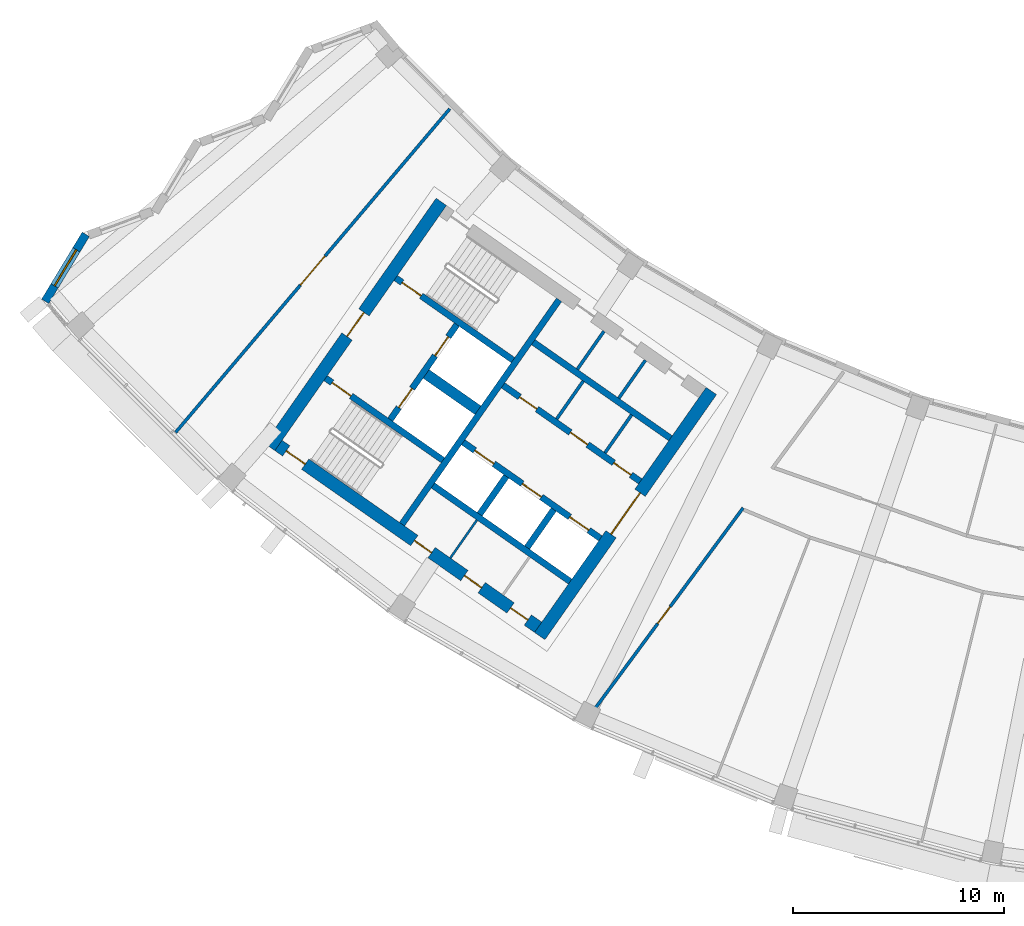
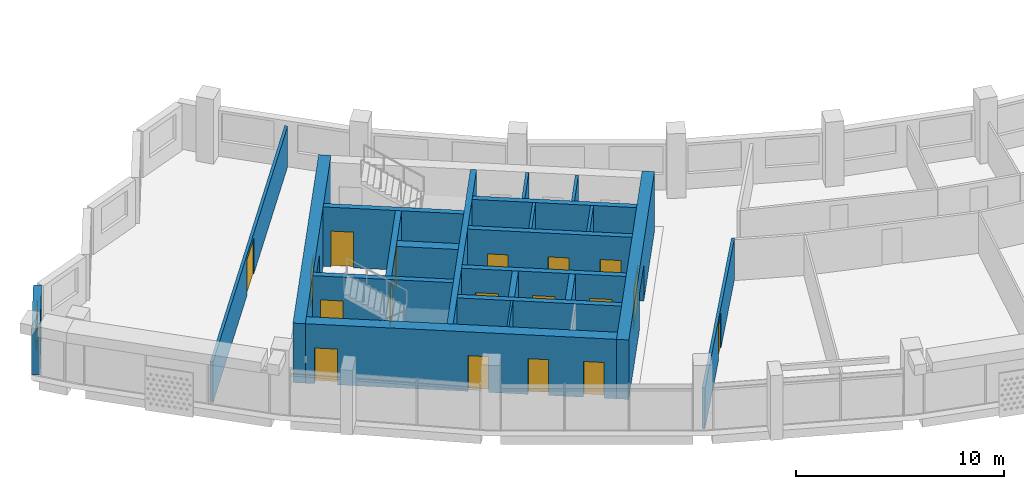
# One storey, part 3 of 28: 22 walls, 18 doors, 1 window, 19 openings.
"""IFC4 building model written with IfcOpenShell, lengths in metres."""

from ifc_helpers import new_model, si_unit, direction, frame, frame_2d, origin, place, context, subcontext, project, spatial, rectangle, extrude, material, layer, layer_set, type_object, element, fill, save


model = new_model("IFC4")

# Units and contexts
model_context = context("Model", 3, precision=1e-05, world=origin(), true_north=direction((0.0, 1.0)))
body_context = subcontext(model_context, "Body", "Model", "MODEL_VIEW")
ifc_project = project(units=[si_unit("LENGTHUNIT", "METRE"), si_unit("AREAUNIT", "SQUARE_METRE"), si_unit("VOLUMEUNIT", "CUBIC_METRE"), si_unit("PLANEANGLEUNIT", "RADIAN"), si_unit("MASSUNIT", "GRAM", prefix="KILO")], contexts=[model_context])

# Site, building, storey
site_placement = place(None, origin())
site = spatial("IfcSite", under=ifc_project, at=site_placement, CompositionType="ELEMENT")
building_placement = place(site_placement, origin())
building = spatial("IfcBuilding", under=site, at=building_placement, Name="Qamariyya Broadcast Tower", CompositionType="ELEMENT")
storey_placement = place(building_placement, frame((0.0, 0.0, 269.5)))
storey = spatial("IfcBuildingStorey", under=building, at=storey_placement, Name="L65", CompositionType="ELEMENT", Elevation=269.5)

# Wall, opening, door
ifc_material_1 = material(Name="Concrete C60/75", Category="concrete")
ifc_layer_1 = layer(ifc_material_1, 0.60009765625)
ifc_layer_set_1 = layer_set([ifc_layer_1], Name="Core wall 600 mm Concrete C60/75")
wall_type_1 = type_object("IfcWallType", Name="Core wall 600 mm Concrete C60/75", PredefinedType="SHEAR", material=ifc_layer_set_1)
wall_1_placement = place(storey_placement, frame((-36.66748046875, -66.005126953125, 0.0), z_axis=(0.0, 0.0, 1.0), x_axis=(0.573568499524, 0.819157601658, 0.0)))
wall_1 = element("IfcWall", 1, at=wall_1_placement, inside=storey, type_object=wall_type_1, Name="k-W-L65-WA", PredefinedType="SHEAR", context=body_context, shape_type="SweptSolid", body=[
    extrude(rectangle(XDim=14.19970703125, YDim=0.60009765625, at=frame_2d((7.099853515625, 0.0))), origin(), (0.0, 0.0, 1.0), 3.5),
])
opening_1_placement = place(wall_1_placement, frame((5.89990234375, 0.0, 0.0)))
opening_1 = element("IfcOpeningElement", 2, at=opening_1_placement, cuts=wall_1, Name="Opening KD3-W1", PredefinedType="OPENING", context=body_context, shape_type="SweptSolid", body=[
    extrude(rectangle(XDim=2.39990234375, YDim=2.10009765625, at=frame_2d((1.199951171875, 1.050048828125))), frame((0.0, 0.31005859375, 0.0), z_axis=(0.0, -1.0, 0.0), x_axis=(1.0, 0.0, 0.0)), (0.0, 0.0, 1.0), 0.6201171875),
])
ifc_material_2 = material(Name="Steel fire-resisting door leaf", Category="steel")
door_type_1 = type_object("IfcDoorType", Name="Lift lobby door KD3", OperationType="DOUBLE_DOOR_SINGLE_SWING", PredefinedType="DOOR", material=ifc_material_2)
door_1_placement = place(opening_1_placement, origin())
door_1 = element("IfcDoor", 3, at=door_1_placement, inside=storey, type_object=door_type_1, Name="k-W-L65-WA-D1", OperationType="DOUBLE_DOOR_SINGLE_SWING", OverallHeight=2.10009765625, OverallWidth=2.39990234375, PredefinedType="DOOR", context=body_context, shape_type="SweptSolid", body=[
    extrude(rectangle(XDim=2.39990234375, YDim=2.10009765625, at=frame_2d((1.199951171875, 1.050048828125))), frame((0.0, 0.02490234375, 0.0), z_axis=(0.0, -1.0, 0.0), x_axis=(1.0, 0.0, 0.0)), (0.0, 0.0, 1.0), 0.050048828125),
])
fill(opening_1, door_1)

wall_2_placement = place(storey_placement, frame((-49.4833984375, -57.031494140625, 0.0), z_axis=(0.0, 0.0, 1.0), x_axis=(0.573560421458, 0.819163257805, 0.0)))
wall_2 = element("IfcWall", 4, at=wall_2_placement, inside=storey, type_object=wall_type_1, Name="k-W-L65-WH", PredefinedType="SHEAR", context=body_context, shape_type="SweptSolid", body=[
    extrude(rectangle(XDim=14.199951171875, YDim=0.60009765625, at=frame_2d((7.10009765625, 0.0))), origin(), (0.0, 0.0, 1.0), 3.5),
])
opening_2_placement = place(wall_2_placement, frame((6.39990234375, 0.0, 0.0)))
opening_2 = element("IfcOpeningElement", 5, at=opening_2_placement, cuts=wall_2, Name="Opening KD2-W1", PredefinedType="OPENING", context=body_context, shape_type="SweptSolid", body=[
    extrude(rectangle(XDim=1.39990234375, YDim=2.10009765625, at=frame_2d((0.699951171875, 1.050048828125))), frame((0.0, 0.31005859375, 0.0), z_axis=(0.0, -1.0, 0.0), x_axis=(1.0, 0.0, 0.0)), (0.0, 0.0, 1.0), 0.6201171875),
])
door_type_2 = type_object("IfcDoorType", Name="Fire-fighting lobby door KD2", OperationType="DOUBLE_DOOR_SINGLE_SWING", PredefinedType="DOOR", material=ifc_material_2)
door_2_placement = place(opening_2_placement, origin())
door_2 = element("IfcDoor", 6, at=door_2_placement, inside=storey, type_object=door_type_2, Name="k-W-L65-WH-D16", OperationType="DOUBLE_DOOR_SINGLE_SWING", OverallHeight=2.10009765625, OverallWidth=1.39990234375, PredefinedType="DOOR", context=body_context, shape_type="SweptSolid", body=[
    extrude(rectangle(XDim=1.39990234375, YDim=2.10009765625, at=frame_2d((0.699951171875, 1.050048828125))), frame((0.0, 0.02490234375, 0.0), z_axis=(0.0, -1.0, 0.0), x_axis=(1.0, 0.0, 0.0)), (0.0, 0.0, 1.0), 0.050048828125),
])
fill(opening_2, door_2)

# Wall, openings, doors
wall_3_placement = place(storey_placement, frame((-36.7412109375, -65.58740234375, 0.0), z_axis=(0.0, 0.0, 1.0), x_axis=(-0.819153391756, 0.573574511963, 0.0)))
wall_3 = element("IfcWall", 7, at=wall_3_placement, inside=storey, type_object=wall_type_1, Name="k-W-L65-WO", PredefinedType="SHEAR", context=body_context, shape_type="SweptSolid", body=[
    extrude(rectangle(XDim=15.04541015625, YDim=0.60009765625, at=frame_2d((7.522705078125, 0.0))), origin(), (0.0, 0.0, 1.0), 3.5),
])
opening_3_placement = place(wall_3_placement, frame((0.60009765625, 0.0, 0.0)))
opening_3 = element("IfcOpeningElement", 8, at=opening_3_placement, cuts=wall_3, Name="Opening KD4-W2", PredefinedType="OPENING", context=body_context, shape_type="SweptSolid", body=[
    extrude(rectangle(XDim=1.0, YDim=2.10009765625, at=frame_2d((0.5, 1.050048828125))), frame((0.0, 0.31005859375, 0.0), z_axis=(0.0, -1.0, 0.0), x_axis=(1.0, 0.0, 0.0)), (0.0, 0.0, 1.0), 0.6201171875),
])
opening_4_placement = place(wall_3_placement, frame((3.27490234375, 0.0, 0.0)))
opening_4 = element("IfcOpeningElement", 9, at=opening_4_placement, cuts=wall_3, Name="Opening KD4-W3", PredefinedType="OPENING", context=body_context, shape_type="SweptSolid", body=[
    extrude(rectangle(XDim=1.0, YDim=2.10009765625, at=frame_2d((0.5, 1.050048828125))), frame((0.0, 0.31005859375, 0.0), z_axis=(0.0, -1.0, 0.0), x_axis=(1.0, 0.0, 0.0)), (0.0, 0.0, 1.0), 0.6201171875),
])
opening_5_placement = place(wall_3_placement, frame((6.175048828125, 0.0, 0.0)))
opening_5 = element("IfcOpeningElement", 10, at=opening_5_placement, cuts=wall_3, Name="Opening KD4-W4", PredefinedType="OPENING", context=body_context, shape_type="SweptSolid", body=[
    extrude(rectangle(XDim=1.0, YDim=2.10009765625, at=frame_2d((0.5, 1.050048828125))), frame((0.0, 0.31005859375, 0.0), z_axis=(0.0, -1.0, 0.0), x_axis=(1.0, 0.0, 0.0)), (0.0, 0.0, 1.0), 0.6201171875),
])
opening_6_placement = place(wall_3_placement, frame((13.495361328125, 0.0, 0.0)))
opening_6 = element("IfcOpeningElement", 11, at=opening_6_placement, cuts=wall_3, Name="Opening KD1-W3", PredefinedType="OPENING", context=body_context, shape_type="SweptSolid", body=[
    extrude(rectangle(XDim=1.10009765625, YDim=2.10009765625, at=frame_2d((0.550048828125, 1.050048828125))), frame((0.0, 0.31005859375, 0.0), z_axis=(0.0, -1.0, 0.0), x_axis=(1.0, 0.0, 0.0)), (0.0, 0.0, 1.0), 0.6201171875),
])
door_type_3 = type_object("IfcDoorType", Name="Riser and plant door KD4", OperationType="SINGLE_SWING_LEFT", PredefinedType="DOOR", material=ifc_material_2)
door_3_placement = place(opening_3_placement, origin())
door_3 = element("IfcDoor", 12, at=door_3_placement, inside=storey, type_object=door_type_3, Name="k-W-L65-WO-D11", OperationType="SINGLE_SWING_RIGHT", OverallHeight=2.10009765625, OverallWidth=1.0, PredefinedType="DOOR", context=body_context, shape_type="SweptSolid", body=[
    extrude(rectangle(XDim=1.0, YDim=2.10009765625, at=frame_2d((0.5, 1.050048828125))), frame((0.0, 0.02490234375, 0.0), z_axis=(0.0, -1.0, 0.0), x_axis=(1.0, 0.0, 0.0)), (0.0, 0.0, 1.0), 0.050048828125),
])
fill(opening_3, door_3)
door_4_placement = place(opening_4_placement, origin())
door_4 = element("IfcDoor", 13, at=door_4_placement, inside=storey, type_object=door_type_3, Name="k-W-L65-WO-D12", OperationType="SINGLE_SWING_LEFT", OverallHeight=2.10009765625, OverallWidth=1.0, PredefinedType="DOOR", context=body_context, shape_type="SweptSolid", body=[
    extrude(rectangle(XDim=1.0, YDim=2.10009765625, at=frame_2d((0.5, 1.050048828125))), frame((0.0, 0.02490234375, 0.0), z_axis=(0.0, -1.0, 0.0), x_axis=(1.0, 0.0, 0.0)), (0.0, 0.0, 1.0), 0.050048828125),
])
fill(opening_4, door_4)
door_5_placement = place(opening_5_placement, origin())
door_5 = element("IfcDoor", 14, at=door_5_placement, inside=storey, type_object=door_type_3, Name="k-W-L65-WO-D13", OperationType="SINGLE_SWING_RIGHT", OverallHeight=2.10009765625, OverallWidth=1.0, PredefinedType="DOOR", context=body_context, shape_type="SweptSolid", body=[
    extrude(rectangle(XDim=1.0, YDim=2.10009765625, at=frame_2d((0.5, 1.050048828125))), frame((0.0, 0.02490234375, 0.0), z_axis=(0.0, -1.0, 0.0), x_axis=(1.0, 0.0, 0.0)), (0.0, 0.0, 1.0), 0.050048828125),
])
fill(opening_5, door_5)
door_type_4 = type_object("IfcDoorType", Name="Stair door KD1", OperationType="SINGLE_SWING_LEFT", PredefinedType="DOOR", material=ifc_material_2)
door_6_placement = place(opening_6_placement, origin())
door_6 = element("IfcDoor", 15, at=door_6_placement, inside=storey, type_object=door_type_4, Name="k-W-L65-WO-D19", OperationType="SINGLE_SWING_LEFT", OverallHeight=2.10009765625, OverallWidth=1.10009765625, PredefinedType="DOOR", context=body_context, shape_type="SweptSolid", body=[
    extrude(rectangle(XDim=1.10009765625, YDim=2.10009765625, at=frame_2d((0.550048828125, 1.050048828125))), frame((0.0, 0.02490234375, 0.0), z_axis=(0.0, -1.0, 0.0), x_axis=(1.0, 0.0, 0.0)), (0.0, 0.0, 1.0), 0.050048828125),
])
fill(opening_6, door_6)

# Wall, opening, door
ifc_material_3 = material(Name="Gypsum board partition")
ifc_layer_2 = layer(ifc_material_3, 0.14990234375)
ifc_layer_set_2 = layer_set([ifc_layer_2], Name="Corridor partition 150 EI 60")
wall_type_2 = type_object("IfcWallType", Name="Corridor partition 150 EI 60", PredefinedType="PARTITIONING", material=ifc_layer_set_2)
wall_4_placement = place(storey_placement, frame((-53.946044921875, -56.33837890625, 0.0), z_axis=(0.0, 0.0, 1.0), x_axis=(0.646426079671, 0.76297662056, 0.0)))
wall_4 = element("IfcWall", 16, at=wall_4_placement, inside=storey, type_object=wall_type_2, Name="Partition L65-001", PredefinedType="PARTITIONING", context=body_context, shape_type="SweptSolid", body=[
    extrude(rectangle(XDim=20.1259765625, YDim=0.14990234375, at=frame_2d((10.06298828125, 0.0))), origin(), (0.0, 0.0, 1.0), 2.39990234375),
])
opening_7_placement = place(wall_4_placement, frame((9.1630859375, 0.0, 0.0)))
opening_7 = element("IfcOpeningElement", 17, at=opening_7_placement, cuts=wall_4, Name="Opening L65-D15", PredefinedType="OPENING", context=body_context, shape_type="SweptSolid", body=[
    extrude(rectangle(XDim=1.800048828125, YDim=2.10009765625, at=frame_2d((0.89990234375, 1.050048828125))), frame((0.0, 0.0849609375, 0.0), z_axis=(0.0, -1.0, 0.0), x_axis=(1.0, 0.0, 0.0)), (0.0, 0.0, 1.0), 0.169921875),
])
ifc_material_4 = material(Name="Timber fire door leaf", Category="wood")
door_type_5 = type_object("IfcDoorType", Name="Double fire door 1800 x 2100 FD60", OperationType="NOTDEFINED", PredefinedType="DOOR", material=ifc_material_4)
door_7_placement = place(opening_7_placement, origin())
door_7 = element("IfcDoor", 18, at=door_7_placement, inside=storey, type_object=door_type_5, Name="Door L65-D15", OperationType="DOUBLE_DOOR_SINGLE_SWING", OverallHeight=2.10009765625, OverallWidth=1.800048828125, PredefinedType="DOOR", context=body_context, shape_type="SweptSolid", body=[
    extrude(rectangle(XDim=1.800048828125, YDim=2.10009765625, at=frame_2d((0.89990234375, 1.050048828125))), frame((0.0, 0.02490234375, 0.0), z_axis=(0.0, -1.0, 0.0), x_axis=(1.0, 0.0, 0.0)), (0.0, 0.0, 1.0), 0.050048828125),
])
fill(opening_7, door_7)

wall_5_placement = place(storey_placement, frame((-27.012939453125, -59.919189453125, 0.0), z_axis=(0.0, 0.0, 1.0), x_axis=(-0.593869528805, -0.804561360467, 0.0)))
wall_5 = element("IfcWall", 19, at=wall_5_placement, inside=storey, type_object=wall_type_2, Name="Partition L65-003", PredefinedType="PARTITIONING", context=body_context, shape_type="SweptSolid", body=[
    extrude(rectangle(XDim=12.665283203125, YDim=0.14990234375, at=frame_2d((6.33251953125, 0.0))), origin(), (0.0, 0.0, 1.0), 2.39990234375),
])
opening_8_placement = place(wall_5_placement, frame((5.832763671875, 0.0, 0.0)))
opening_8 = element("IfcOpeningElement", 20, at=opening_8_placement, cuts=wall_5, Name="Opening L65-D01", PredefinedType="OPENING", context=body_context, shape_type="SweptSolid", body=[
    extrude(rectangle(XDim=1.0, YDim=2.10009765625, at=frame_2d((0.5, 1.050048828125))), frame((0.0, 0.0849609375, 0.0), z_axis=(0.0, -1.0, 0.0), x_axis=(1.0, 0.0, 0.0)), (0.0, 0.0, 1.0), 0.169921875),
])
door_type_6 = type_object("IfcDoorType", Name="Fire door 1000 x 2100 FD60", OperationType="NOTDEFINED", PredefinedType="DOOR", material=ifc_material_4)
door_8_placement = place(opening_8_placement, origin())
door_8 = element("IfcDoor", 21, at=door_8_placement, inside=storey, type_object=door_type_6, Name="Door L65-D01", OperationType="SINGLE_SWING_RIGHT", OverallHeight=2.10009765625, OverallWidth=1.0, PredefinedType="DOOR", context=body_context, shape_type="SweptSolid", body=[
    extrude(rectangle(XDim=1.0, YDim=2.10009765625, at=frame_2d((0.5, 1.050048828125))), frame((0.0, 0.02490234375, 0.0), z_axis=(0.0, -1.0, 0.0), x_axis=(1.0, 0.0, 0.0)), (0.0, 0.0, 1.0), 0.050048828125),
])
fill(opening_8, door_8)

# Walls
ifc_layer_3 = layer(ifc_material_1, 0.5)
ifc_layer_set_3 = layer_set([ifc_layer_3], Name="Fire-fighting lobby divider wall 500 mm Concrete C60/75")
wall_type_3 = type_object("IfcWallType", Name="Fire-fighting lobby divider wall 500 mm Concrete C60/75", PredefinedType="SOLIDWALL", material=ifc_layer_set_3)
wall_6_placement = place(storey_placement, frame((-39.59912109375, -55.28515625, 0.0), z_axis=(0.0, 0.0, 1.0), x_axis=(-0.819136323161, 0.573598887793, 0.0)))
element("IfcWall", 22, at=wall_6_placement, inside=storey, type_object=wall_type_3, Name="k-W-L65-FD", PredefinedType="SOLIDWALL", context=body_context, shape_type="SweptSolid", body=[
    extrude(rectangle(XDim=2.999755859375, YDim=0.5, at=frame_2d((1.5, 0.0))), origin(), (0.0, 0.0, 1.0), 3.5),
])
ifc_material_5 = material(Name="Gypsum board partition on steel studs", Category="steel")
ifc_layer_4 = layer(ifc_material_5, 0.14990234375)
ifc_layer_set_4 = layer_set([ifc_layer_4], Name="Gypsum board partition 150 mm")
wall_type_4 = type_object("IfcWallType", Name="Gypsum board partition 150 mm", PredefinedType="PARTITIONING", material=ifc_layer_set_4)
for number, where, z_axis, x_axis, name in (
    (23, (-33.569580078125, -57.3095703125, 0.0), (0.0, 0.0, 1.0), (0.573507030513, 0.819200638399, 0.0), "k-W-L65-NC215"),
    (24, (-35.86328125, -55.70361328125, 0.0), (0.0, 0.0, 1.0), (0.573507030513, 0.819200638399, 0.0), "k-W-L65-NC495"),
):
    element("IfcWall", number, at=place(storey_placement, frame(where, z_axis=z_axis, x_axis=x_axis)), inside=storey, type_object=wall_type_4, Name=name, PredefinedType="PARTITIONING", context=body_context, shape_type="SweptSolid", body=[
        extrude(rectangle(XDim=2.199951171875, YDim=0.14990234375, at=frame_2d((1.10009765625, 0.0))), origin(), (0.0, 0.0, 1.0), 3.5),
    ])
wall_7_placement = place(storey_placement, frame((-32.9140625, -54.716796875, 0.0), z_axis=(0.0, 0.0, 1.0), x_axis=(0.573581496053, 0.819148501424, 0.0)))
element("IfcWall", 25, at=wall_7_placement, inside=storey, type_object=wall_type_4, Name="k-W-L65-NP310", PredefinedType="PARTITIONING", context=body_context, shape_type="SweptSolid", body=[
    extrude(rectangle(XDim=2.2001953125, YDim=0.14990234375, at=frame_2d((1.10009765625, 0.0))), origin(), (0.0, 0.0, 1.0), 3.5),
])
wall_8_placement = place(storey_placement, frame((-34.8798828125, -53.340087890625, 0.0), z_axis=(0.0, 0.0, 1.0), x_axis=(0.573559170999, 0.819164133348, 0.0)))
element("IfcWall", 26, at=wall_8_placement, inside=storey, type_object=wall_type_4, Name="k-W-L65-NP550", PredefinedType="PARTITIONING", context=body_context, shape_type="SweptSolid", body=[
    extrude(rectangle(XDim=2.19970703125, YDim=0.14990234375, at=frame_2d((1.099853515625, 0.0))), origin(), (0.0, 0.0, 1.0), 3.5),
])
ifc_layer_5 = layer(ifc_material_1, 0.300048828125)
ifc_layer_set_5 = layer_set([ifc_layer_5], Name="Lift shaft wall 300 mm Concrete C60/75")
wall_type_5 = type_object("IfcWallType", Name="Lift shaft wall 300 mm Concrete C60/75", PredefinedType="SOLIDWALL", material=ifc_layer_set_5)
wall_9_placement = place(storey_placement, frame((-43.204345703125, -60.69580078125, 0.0), z_axis=(0.0, 0.0, 1.0), x_axis=(0.573571992966, 0.819155155563, 0.0)))
element("IfcWall", 27, at=wall_9_placement, inside=storey, type_object=wall_type_5, Name="k-W-L65-WL", PredefinedType="SOLIDWALL", context=body_context, shape_type="SweptSolid", body=[
    extrude(rectangle(XDim=13.000244140625, YDim=0.300048828125, at=frame_2d((6.5, 0.0))), origin(), (0.0, 0.0, 1.0), 3.5),
])

# Wall, openings, doors
wall_10_placement = place(storey_placement, frame((-31.89453125, -58.66552734375, 0.0), z_axis=(0.0, 0.0, 1.0), x_axis=(-0.819166993208, 0.573555086491, 0.0)))
wall_10 = element("IfcWall", 28, at=wall_10_placement, inside=storey, type_object=wall_type_5, Name="k-W-L65-NF0", PredefinedType="SOLIDWALL", context=body_context, shape_type="SweptSolid", body=[
    extrude(rectangle(XDim=7.9501953125, YDim=0.300048828125, at=frame_2d((3.97509765625, 0.0))), origin(), (0.0, 0.0, 1.0), 3.5),
])
opening_9_placement = place(wall_10_placement, frame((0.53759765625, 0.0, 0.0)))
opening_9 = element("IfcOpeningElement", 29, at=opening_9_placement, cuts=wall_10, Name="Opening KD6-W1", PredefinedType="OPENING", context=body_context, shape_type="SweptSolid", body=[
    extrude(rectangle(XDim=1.0, YDim=2.10009765625, at=frame_2d((0.5, 1.050048828125))), frame((0.0, 0.159912109375, 0.0), z_axis=(0.0, -1.0, 0.0), x_axis=(1.0, 0.0, 0.0)), (0.0, 0.0, 1.0), 0.320068359375),
])
opening_10_placement = place(wall_10_placement, frame((3.050048828125, 0.0, 0.0)))
opening_10 = element("IfcOpeningElement", 30, at=opening_10_placement, cuts=wall_10, Name="Opening KD6-W2", PredefinedType="OPENING", context=body_context, shape_type="SweptSolid", body=[
    extrude(rectangle(XDim=1.0, YDim=2.10009765625, at=frame_2d((0.5, 1.050048828125))), frame((0.0, 0.159912109375, 0.0), z_axis=(0.0, -1.0, 0.0), x_axis=(1.0, 0.0, 0.0)), (0.0, 0.0, 1.0), 0.320068359375),
])
opening_11_placement = place(wall_10_placement, frame((5.987548828125, 0.0, 0.0)))
opening_11 = element("IfcOpeningElement", 31, at=opening_11_placement, cuts=wall_10, Name="Opening KD4-W1", PredefinedType="OPENING", context=body_context, shape_type="SweptSolid", body=[
    extrude(rectangle(XDim=1.0, YDim=2.10009765625, at=frame_2d((0.5, 1.050048828125))), frame((0.0, 0.159912109375, 0.0), z_axis=(0.0, -1.0, 0.0), x_axis=(1.0, 0.0, 0.0)), (0.0, 0.0, 1.0), 0.320068359375),
])
door_type_7 = type_object("IfcDoorType", Name="Core room door KD6", OperationType="SINGLE_SWING_LEFT", PredefinedType="DOOR", material=ifc_material_2)
door_9_placement = place(opening_9_placement, origin())
door_9 = element("IfcDoor", 32, at=door_9_placement, inside=storey, type_object=door_type_7, Name="k-W-L65-NF0-D2", OperationType="SINGLE_SWING_LEFT", OverallHeight=2.10009765625, OverallWidth=1.0, PredefinedType="DOOR", context=body_context, shape_type="SweptSolid", body=[
    extrude(rectangle(XDim=1.0, YDim=2.10009765625, at=frame_2d((0.5, 1.050048828125))), frame((0.0, 0.02490234375, 0.0), z_axis=(0.0, -1.0, 0.0), x_axis=(1.0, 0.0, 0.0)), (0.0, 0.0, 1.0), 0.050048828125),
])
fill(opening_9, door_9)
door_10_placement = place(opening_10_placement, origin())
door_10 = element("IfcDoor", 33, at=door_10_placement, inside=storey, type_object=door_type_7, Name="k-W-L65-NF0-D3", OperationType="SINGLE_SWING_RIGHT", OverallHeight=2.10009765625, OverallWidth=1.0, PredefinedType="DOOR", context=body_context, shape_type="SweptSolid", body=[
    extrude(rectangle(XDim=1.0, YDim=2.10009765625, at=frame_2d((0.5, 1.050048828125))), frame((0.0, 0.02490234375, 0.0), z_axis=(0.0, -1.0, 0.0), x_axis=(1.0, 0.0, 0.0)), (0.0, 0.0, 1.0), 0.050048828125),
])
fill(opening_10, door_10)
door_11_placement = place(opening_11_placement, origin())
door_11 = element("IfcDoor", 34, at=door_11_placement, inside=storey, type_object=door_type_3, Name="k-W-L65-NF0-D4", OperationType="SINGLE_SWING_LEFT", OverallHeight=2.10009765625, OverallWidth=1.0, PredefinedType="DOOR", context=body_context, shape_type="SweptSolid", body=[
    extrude(rectangle(XDim=1.0, YDim=2.10009765625, at=frame_2d((0.5, 1.050048828125))), frame((0.0, 0.02490234375, 0.0), z_axis=(0.0, -1.0, 0.0), x_axis=(1.0, 0.0, 0.0)), (0.0, 0.0, 1.0), 0.050048828125),
])
fill(opening_11, door_11)

# Wall
wall_11_placement = place(storey_placement, frame((-30.460693359375, -56.61767578125, 0.0), z_axis=(0.0, 0.0, 1.0), x_axis=(-0.819142461705, 0.573590121456, 0.0)))
element("IfcWall", 35, at=wall_11_placement, inside=storey, type_object=wall_type_5, Name="k-W-L65-NB0", PredefinedType="SOLIDWALL", context=body_context, shape_type="SweptSolid", body=[
    extrude(rectangle(XDim=7.949951171875, YDim=0.300048828125, at=frame_2d((3.97509765625, 0.0))), origin(), (0.0, 0.0, 1.0), 3.5),
])

# Wall, openings, doors
wall_12_placement = place(storey_placement, frame((-33.787353515625, -61.368896484375, 0.0), z_axis=(0.0, 0.0, 1.0), x_axis=(-0.819152564888, 0.573575692858, 0.0)))
wall_12 = element("IfcWall", 36, at=wall_12_placement, inside=storey, type_object=wall_type_5, Name="k-W-L65-SF0", PredefinedType="SOLIDWALL", context=body_context, shape_type="SweptSolid", body=[
    extrude(rectangle(XDim=7.9501953125, YDim=0.300048828125, at=frame_2d((3.97509765625, 0.0))), origin(), (0.0, 0.0, 1.0), 3.5),
])
opening_12_placement = place(wall_12_placement, frame((0.675048828125, 0.0, 0.0)))
opening_12 = element("IfcOpeningElement", 37, at=opening_12_placement, cuts=wall_12, Name="Opening LD", PredefinedType="OPENING", context=body_context, shape_type="SweptSolid", body=[
    extrude(rectangle(XDim=1.10009765625, YDim=2.10009765625, at=frame_2d((0.550048828125, 1.050048828125))), frame((0.0, 0.159912109375, 0.0), z_axis=(0.0, -1.0, 0.0), x_axis=(1.0, 0.0, 0.0)), (0.0, 0.0, 1.0), 0.320068359375),
])
opening_13_placement = place(wall_12_placement, frame((3.425048828125, 0.0, 0.0)))
opening_13 = element("IfcOpeningElement", 38, at=opening_13_placement, cuts=wall_12, Name="Opening LD", PredefinedType="OPENING", context=body_context, shape_type="SweptSolid", body=[
    extrude(rectangle(XDim=1.10009765625, YDim=2.10009765625, at=frame_2d((0.550048828125, 1.050048828125))), frame((0.0, 0.159912109375, 0.0), z_axis=(0.0, -1.0, 0.0), x_axis=(1.0, 0.0, 0.0)), (0.0, 0.0, 1.0), 0.320068359375),
])
opening_14_placement = place(wall_12_placement, frame((6.175048828125, 0.0, 0.0)))
opening_14 = element("IfcOpeningElement", 39, at=opening_14_placement, cuts=wall_12, Name="Opening LD", PredefinedType="OPENING", context=body_context, shape_type="SweptSolid", body=[
    extrude(rectangle(XDim=1.10009765625, YDim=2.10009765625, at=frame_2d((0.550048828125, 1.050048828125))), frame((0.0, 0.159912109375, 0.0), z_axis=(0.0, -1.0, 0.0), x_axis=(1.0, 0.0, 0.0)), (0.0, 0.0, 1.0), 0.320068359375),
])
door_type_8 = type_object("IfcDoorType", Name="Lift landing door LD", OperationType="DOUBLE_DOOR_SLIDING", PredefinedType="DOOR", material=ifc_material_2)
door_12_placement = place(opening_12_placement, origin())
door_12 = element("IfcDoor", 40, at=door_12_placement, inside=storey, type_object=door_type_8, Name="k-W-L65-SF0-D5", OperationType="DOUBLE_DOOR_SLIDING", OverallHeight=2.10009765625, OverallWidth=1.10009765625, PredefinedType="DOOR", context=body_context, shape_type="SweptSolid", body=[
    extrude(rectangle(XDim=1.10009765625, YDim=2.10009765625, at=frame_2d((0.550048828125, 1.050048828125))), frame((0.0, 0.02490234375, 0.0), z_axis=(0.0, -1.0, 0.0), x_axis=(1.0, 0.0, 0.0)), (0.0, 0.0, 1.0), 0.050048828125),
])
fill(opening_12, door_12)
door_13_placement = place(opening_13_placement, origin())
door_13 = element("IfcDoor", 41, at=door_13_placement, inside=storey, type_object=door_type_8, Name="k-W-L65-SF0-D6", OperationType="DOUBLE_DOOR_SLIDING", OverallHeight=2.10009765625, OverallWidth=1.10009765625, PredefinedType="DOOR", context=body_context, shape_type="SweptSolid", body=[
    extrude(rectangle(XDim=1.10009765625, YDim=2.10009765625, at=frame_2d((0.550048828125, 1.050048828125))), frame((0.0, 0.02490234375, 0.0), z_axis=(0.0, -1.0, 0.0), x_axis=(1.0, 0.0, 0.0)), (0.0, 0.0, 1.0), 0.050048828125),
])
fill(opening_13, door_13)
door_14_placement = place(opening_14_placement, origin())
door_14 = element("IfcDoor", 42, at=door_14_placement, inside=storey, type_object=door_type_8, Name="k-W-L65-SF0-D7", OperationType="DOUBLE_DOOR_SLIDING", OverallHeight=2.10009765625, OverallWidth=1.10009765625, PredefinedType="DOOR", context=body_context, shape_type="SweptSolid", body=[
    extrude(rectangle(XDim=1.10009765625, YDim=2.10009765625, at=frame_2d((0.550048828125, 1.050048828125))), frame((0.0, 0.02490234375, 0.0), z_axis=(0.0, -1.0, 0.0), x_axis=(1.0, 0.0, 0.0)), (0.0, 0.0, 1.0), 0.050048828125),
])
fill(opening_14, door_14)

# Walls
wall_13_placement = place(storey_placement, frame((-35.22119140625, -63.41650390625, 0.0), z_axis=(0.0, 0.0, 1.0), x_axis=(-0.819166993208, 0.573555086491, 0.0)))
element("IfcWall", 43, at=wall_13_placement, inside=storey, type_object=wall_type_5, Name="k-W-L65-SB0", PredefinedType="SOLIDWALL", context=body_context, shape_type="SweptSolid", body=[
    extrude(rectangle(XDim=7.9501953125, YDim=0.300048828125, at=frame_2d((3.97509765625, 0.0))), origin(), (0.0, 0.0, 1.0), 3.5),
])
wall_14_placement = place(storey_placement, frame((-36.003173828125, -60.000244140625, 0.0), z_axis=(0.0, 0.0, 1.0), x_axis=(-0.573581496053, -0.819148501424, 0.0)))
element("IfcWall", 44, at=wall_14_placement, inside=storey, type_object=wall_type_5, Name="k-W-L65-SD0", PredefinedType="SOLIDWALL", context=body_context, shape_type="SweptSolid", body=[
    extrude(rectangle(XDim=2.2001953125, YDim=0.300048828125, at=frame_2d((1.10009765625, 0.0))), origin(), (0.0, 0.0, 1.0), 3.5),
])
wall_15_placement = place(storey_placement, frame((-38.255859375, -58.423095703125, 0.0), z_axis=(0.0, 0.0, 1.0), x_axis=(-0.573633636671, -0.819111989218, 0.0)))
element("IfcWall", 45, at=wall_15_placement, inside=storey, type_object=wall_type_5, Name="k-W-L65-SD1", PredefinedType="SOLIDWALL", context=body_context, shape_type="SweptSolid", body=[
    extrude(rectangle(XDim=2.199951171875, YDim=0.300048828125, at=frame_2d((1.10009765625, 0.0))), origin(), (0.0, 0.0, 1.0), 3.5),
])

# Wall, opening, door
wall_16_placement = place(storey_placement, frame((-37.935546875, -52.90966796875, 0.0), z_axis=(0.0, 0.0, 1.0), x_axis=(-0.819147518138, 0.57358290031, 0.0)))
wall_16 = element("IfcWall", 46, at=wall_16_placement, inside=storey, type_object=wall_type_5, Name="k-W-L65-NW", PredefinedType="SOLIDWALL", context=body_context, shape_type="SweptSolid", body=[
    extrude(rectangle(XDim=6.79541015625, YDim=0.300048828125, at=frame_2d((3.397705078125, 0.0))), origin(), (0.0, 0.0, 1.0), 3.5),
])
opening_15_placement = place(wall_16_placement, frame((5.3203125, 0.0, 0.0)))
opening_15 = element("IfcOpeningElement", 47, at=opening_15_placement, cuts=wall_16, Name="Opening KD1-W2", PredefinedType="OPENING", context=body_context, shape_type="SweptSolid", body=[
    extrude(rectangle(XDim=1.10009765625, YDim=2.10009765625, at=frame_2d((0.550048828125, 1.050048828125))), frame((0.0, 0.159912109375, 0.0), z_axis=(0.0, -1.0, 0.0), x_axis=(1.0, 0.0, 0.0)), (0.0, 0.0, 1.0), 0.320068359375),
])
door_15_placement = place(opening_15_placement, origin())
door_15 = element("IfcDoor", 48, at=door_15_placement, inside=storey, type_object=door_type_4, Name="k-W-L65-NW-D18", OperationType="SINGLE_SWING_LEFT", OverallHeight=2.10009765625, OverallWidth=1.10009765625, PredefinedType="DOOR", context=body_context, shape_type="SweptSolid", body=[
    extrude(rectangle(XDim=1.10009765625, YDim=2.10009765625, at=frame_2d((0.550048828125, 1.050048828125))), frame((0.0, 0.02490234375, 0.0), z_axis=(0.0, -1.0, 0.0), x_axis=(1.0, 0.0, 0.0)), (0.0, 0.0, 1.0), 0.050048828125),
])
fill(opening_15, door_15)

wall_17_placement = place(storey_placement, frame((-41.262451171875, -57.66064453125, 0.0), z_axis=(0.0, 0.0, 1.0), x_axis=(-0.819164398642, 0.573558792102, 0.0)))
wall_17 = element("IfcWall", 49, at=wall_17_placement, inside=storey, type_object=wall_type_5, Name="k-W-L65-SW", PredefinedType="SOLIDWALL", context=body_context, shape_type="SweptSolid", body=[
    extrude(rectangle(XDim=6.795166015625, YDim=0.300048828125, at=frame_2d((3.3974609375, 0.0))), origin(), (0.0, 0.0, 1.0), 3.5),
])
opening_16_placement = place(wall_17_placement, frame((5.3203125, 0.0, 0.0)))
opening_16 = element("IfcOpeningElement", 50, at=opening_16_placement, cuts=wall_17, Name="Opening KD1-W4", PredefinedType="OPENING", context=body_context, shape_type="SweptSolid", body=[
    extrude(rectangle(XDim=1.10009765625, YDim=2.10009765625, at=frame_2d((0.550048828125, 1.050048828125))), frame((0.0, 0.159912109375, 0.0), z_axis=(0.0, -1.0, 0.0), x_axis=(1.0, 0.0, 0.0)), (0.0, 0.0, 1.0), 0.320068359375),
])
door_16_placement = place(opening_16_placement, origin())
door_16 = element("IfcDoor", 51, at=door_16_placement, inside=storey, type_object=door_type_4, Name="k-W-L65-SW-D20", OperationType="SINGLE_SWING_LEFT", OverallHeight=2.10009765625, OverallWidth=1.10009765625, PredefinedType="DOOR", context=body_context, shape_type="SweptSolid", body=[
    extrude(rectangle(XDim=1.10009765625, YDim=2.10009765625, at=frame_2d((0.550048828125, 1.050048828125))), frame((0.0, 0.02490234375, 0.0), z_axis=(0.0, -1.0, 0.0), x_axis=(1.0, 0.0, 0.0)), (0.0, 0.0, 1.0), 0.050048828125),
])
fill(opening_16, door_16)

# Wall, openings, doors
wall_18_placement = place(storey_placement, frame((-43.756591796875, -55.731201171875, 0.0), z_axis=(0.0, 0.0, 1.0), x_axis=(0.573536818435, 0.819179783625, 0.0)))
wall_18 = element("IfcWall", 52, at=wall_18_placement, inside=storey, type_object=wall_type_5, Name="k-W-L65-FF", PredefinedType="SOLIDWALL", context=body_context, shape_type="SweptSolid", body=[
    extrude(rectangle(XDim=5.500244140625, YDim=0.300048828125, at=frame_2d((2.75, 0.0))), origin(), (0.0, 0.0, 1.0), 3.5),
])
opening_17_placement = place(wall_18_placement, frame((0.699951171875, 0.0, 0.0)))
opening_17 = element("IfcOpeningElement", 53, at=opening_17_placement, cuts=wall_18, Name="Opening LD", PredefinedType="OPENING", context=body_context, shape_type="SweptSolid", body=[
    extrude(rectangle(XDim=1.10009765625, YDim=2.10009765625, at=frame_2d((0.550048828125, 1.050048828125))), frame((0.0, 0.159912109375, 0.0), z_axis=(0.0, -1.0, 0.0), x_axis=(1.0, 0.0, 0.0)), (0.0, 0.0, 1.0), 0.320068359375),
])
opening_18_placement = place(wall_18_placement, frame((3.699951171875, 0.0, 0.0)))
opening_18 = element("IfcOpeningElement", 54, at=opening_18_placement, cuts=wall_18, Name="Opening LD", PredefinedType="OPENING", context=body_context, shape_type="SweptSolid", body=[
    extrude(rectangle(XDim=1.10009765625, YDim=2.10009765625, at=frame_2d((0.550048828125, 1.050048828125))), frame((0.0, 0.159912109375, 0.0), z_axis=(0.0, -1.0, 0.0), x_axis=(1.0, 0.0, 0.0)), (0.0, 0.0, 1.0), 0.320068359375),
])
door_17_placement = place(opening_17_placement, origin())
door_17 = element("IfcDoor", 55, at=door_17_placement, inside=storey, type_object=door_type_8, Name="k-W-L65-FF-D14", OperationType="DOUBLE_DOOR_SLIDING", OverallHeight=2.10009765625, OverallWidth=1.10009765625, PredefinedType="DOOR", context=body_context, shape_type="SweptSolid", body=[
    extrude(rectangle(XDim=1.10009765625, YDim=2.10009765625, at=frame_2d((0.550048828125, 1.050048828125))), frame((0.0, 0.02490234375, 0.0), z_axis=(0.0, -1.0, 0.0), x_axis=(1.0, 0.0, 0.0)), (0.0, 0.0, 1.0), 0.050048828125),
])
fill(opening_17, door_17)
door_18_placement = place(opening_18_placement, origin())
door_18 = element("IfcDoor", 56, at=door_18_placement, inside=storey, type_object=door_type_8, Name="k-W-L65-FF-D15", OperationType="DOUBLE_DOOR_SLIDING", OverallHeight=2.10009765625, OverallWidth=1.10009765625, PredefinedType="DOOR", context=body_context, shape_type="SweptSolid", body=[
    extrude(rectangle(XDim=1.10009765625, YDim=2.10009765625, at=frame_2d((0.550048828125, 1.050048828125))), frame((0.0, 0.02490234375, 0.0), z_axis=(0.0, -1.0, 0.0), x_axis=(1.0, 0.0, 0.0)), (0.0, 0.0, 1.0), 0.050048828125),
])
fill(opening_18, door_18)

# Wall
ifc_material_6 = material(Name="Fire-rated gypsum shaft liner on steel studs", Category="steel")
ifc_layer_6 = layer(ifc_material_6, 0.10009765625)
ifc_layer_set_6 = layer_set([ifc_layer_6], Name="Riser wall 100 mm")
wall_type_6 = type_object("IfcWallType", Name="Riser wall 100 mm", PredefinedType="PLUMBINGWALL", material=ifc_layer_set_6)
wall_19_placement = place(storey_placement, frame((-39.64892578125, -60.49951171875, 0.0), z_axis=(0.0, 0.0, 1.0), x_axis=(-0.573507030513, -0.819200638399, 0.0)))
element("IfcWall", 57, at=wall_19_placement, inside=storey, type_object=wall_type_6, Name="k-W-L65-SP530", PredefinedType="PLUMBINGWALL", context=body_context, shape_type="SweptSolid", body=[
    extrude(rectangle(XDim=2.199951171875, YDim=0.10009765625, at=frame_2d((1.10009765625, 0.0))), origin(), (0.0, 0.0, 1.0), 3.5),
])

# Wall, opening, window
ifc_material_7 = material(Name="Terracotta", Category="masonry")
ifc_layer_7 = layer(ifc_material_7, 0.39990234375)
ifc_layer_set_7 = layer_set([ifc_layer_7], Name="Terracotta clad wall 400")
wall_type_7 = type_object("IfcWallType", Name="Terracotta clad wall 400", PredefinedType="SOLIDWALL", material=ifc_layer_set_7)
wall_20_placement = place(storey_placement, frame((-58.211181640625, -46.940673828125, 0.0), z_axis=(0.0, 0.0, 1.0), x_axis=(-0.51804552009, -0.855353049398, 0.0)))
wall_20 = element("IfcWall", 58, at=wall_20_placement, inside=storey, type_object=wall_type_7, Name="e-wl-L65-capW5", PredefinedType="SOLIDWALL", context=body_context, shape_type="SweptSolid", body=[
    extrude(rectangle(XDim=3.71728515625, YDim=0.39990234375, at=frame_2d((1.858642578125, 0.0))), origin(), (0.0, 0.0, 1.0), 2.699951171875),
])
opening_19_placement = place(wall_20_placement, frame((0.858642578125, 0.0, 0.89990234375)))
opening_19 = element("IfcOpeningElement", 59, at=opening_19_placement, cuts=wall_20, Name="Opening W4", PredefinedType="OPENING", context=body_context, shape_type="SweptSolid", body=[
    extrude(rectangle(XDim=2.0, YDim=1.5, at=frame_2d((1.0, 0.75))), frame((0.0, 0.2099609375, 0.0), z_axis=(0.0, -1.0, 0.0), x_axis=(1.0, 0.0, 0.0)), (0.0, 0.0, 1.0), 0.419921875),
])
ifc_material_8 = material(Name="Clear low-e double glazed unit in aluminium frame", Category="aluminium")
window_type = type_object("IfcWindowType", Name="Horn bay window 2000 x 1500", PartitioningType="SINGLE_PANEL", PredefinedType="WINDOW", material=ifc_material_8)
window_placement = place(opening_19_placement, origin())
window = element("IfcWindow", 60, at=window_placement, inside=storey, type_object=window_type, Name="e-w-L65-capW5", OverallHeight=1.5, OverallWidth=2.0, PartitioningType="SINGLE_PANEL", PredefinedType="WINDOW", context=body_context, shape_type="SweptSolid", body=[
    extrude(rectangle(XDim=2.0, YDim=1.5, at=frame_2d((1.0, 0.75))), frame((0.0, 0.030029296875, 0.0), z_axis=(0.0, -1.0, 0.0), x_axis=(1.0, 0.0, 0.0)), (0.0, 0.0, 1.0), 0.06005859375),
])
fill(opening_19, window)

save(model, "model.ifc")
